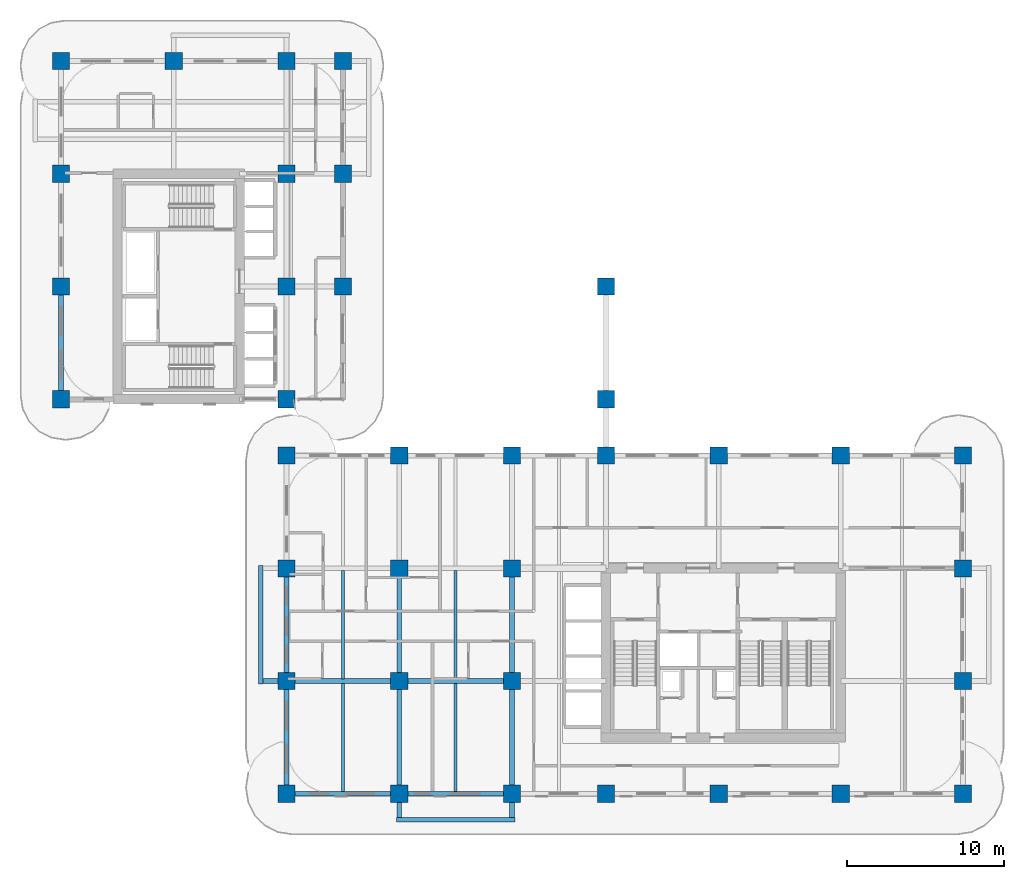
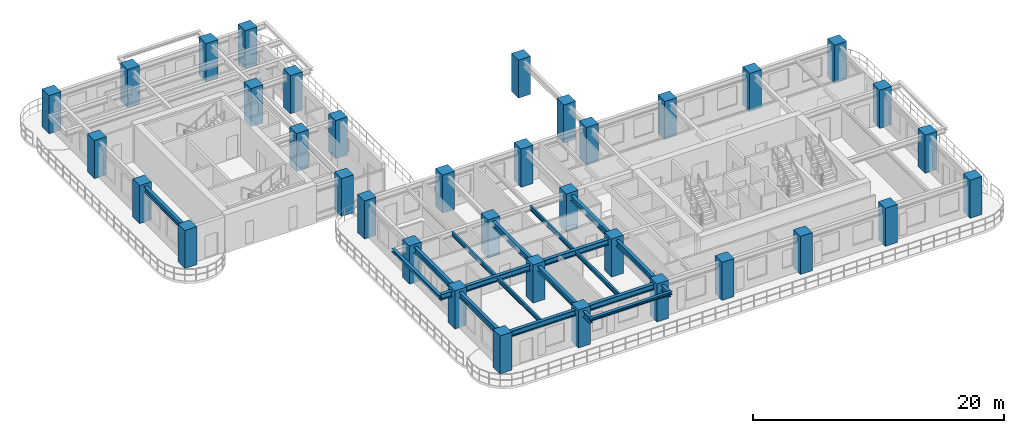
# One storey, part 1 of 19: 36 columns, 17 beams.
"""IFC4 building model written with IfcOpenShell, lengths in metres."""

from ifc_helpers import new_model, si_unit, derived_unit, direction, frame, origin, origin_2d, place, context, subcontext, project, spatial, rectangle, i_section, extrude, source, transform, mapped, material, material_profile, profile_set, type_object, type_shapes, element, save


model = new_model("IFC4")

# Units and contexts
model_context = context("Model", 3, precision=1e-05, world=origin(), true_north=direction((0.0, 1.0)))
body_context = subcontext(model_context, "Body", "Model", "MODEL_VIEW")
ifc_project = project(units=[si_unit("LENGTHUNIT", "METRE"), si_unit("AREAUNIT", "SQUARE_METRE"), si_unit("VOLUMEUNIT", "CUBIC_METRE"), si_unit("PLANEANGLEUNIT", "RADIAN"), si_unit("MASSUNIT", "GRAM", prefix="KILO"), si_unit("THERMODYNAMICTEMPERATUREUNIT", "KELVIN"), si_unit("POWERUNIT", "WATT"), derived_unit("THERMALTRANSMITTANCEUNIT", [(si_unit("POWERUNIT", "WATT"), 1), (si_unit("AREAUNIT", "SQUARE_METRE"), -1), (si_unit("THERMODYNAMICTEMPERATUREUNIT", "KELVIN"), -1)])], contexts=[model_context])

# Site, building, storey
site_placement = place(None, origin())
site = spatial("IfcSite", under=ifc_project, at=site_placement, CompositionType="ELEMENT")
building_placement = place(site_placement, origin())
building = spatial("IfcBuilding", under=site, at=building_placement, Name="Zahravan Archway Hotel and Residences", CompositionType="ELEMENT")
storey_placement = place(building_placement, frame((0.0, 0.0, 47.199951171875)))
storey = spatial("IfcBuildingStorey", under=building, at=storey_placement, Name="L10", CompositionType="ELEMENT", Elevation=47.199951171875)

# Columns
ifc_material_1 = material(Name="Concrete C70/85", Category="concrete")
ifc_material_profile_1 = material_profile(ifc_material_1, rectangle(XDim=1.10009765625, YDim=1.10009765625, at=origin_2d()), Name="RC 1100x1100", Category="concrete")
ifc_profile_set_1 = profile_set([ifc_material_profile_1], Name="Concrete C70/85")
column_type = type_object("IfcColumnType", Name="COL-RC-1100", PredefinedType="COLUMN", material=ifc_profile_set_1)
shared_shape_1 = source(origin(), body_context, "Body", "SweptSolid", [
    extrude(rectangle(XDim=1.10009765625, YDim=1.10009765625, at=origin_2d()), origin(), (0.0, 0.0, 1.0), 3.699951171875),
])
for number, where, z_axis, x_axis, name in (
    (1, (0.0, 25.199951171875, 0.0), (0.0, 0.0, 1.0), (1.0, 0.0, 0.0), "L10 Column 1-E"),
    (2, (0.0, 32.39990234375, 0.0), (0.0, 0.0, 1.0), (1.0, 0.0, 0.0), "L10 Column 1-F"),
    (3, (0.0, 39.60009765625, 0.0), (0.0, 0.0, 1.0), (1.0, 0.0, 0.0), "L10 Column 1-G"),
    (4, (0.0, 46.800048828125, 0.0), (0.0, 0.0, 1.0), (1.0, 0.0, 0.0), "L10 Column 1-H"),
    (5, (7.199951171875, 46.800048828125, 0.0), (0.0, 0.0, 1.0), (1.0, 0.0, 0.0), "L10 Column 2-H"),
    (6, (14.39990234375, 0.0, 0.0), (0.0, 0.0, 1.0), (1.0, 0.0, 0.0), "L10 Column 3-A"),
    (7, (14.39990234375, 7.199951171875, 0.0), (0.0, 0.0, 1.0), (1.0, 0.0, 0.0), "L10 Column 3-B"),
    (8, (14.39990234375, 14.39990234375, 0.0), (0.0, 0.0, 1.0), (1.0, 0.0, 0.0), "L10 Column 3-C"),
    (9, (14.39990234375, 21.60009765625, 0.0), (0.0, 0.0, 1.0), (1.0, 0.0, 0.0), "L10 Column 3-D"),
    (10, (14.39990234375, 25.199951171875, 0.0), (0.0, 0.0, 1.0), (1.0, 0.0, 0.0), "L10 Column 3-E"),
    (11, (14.39990234375, 32.39990234375, 0.0), (0.0, 0.0, 1.0), (1.0, 0.0, 0.0), "L10 Column 3-F"),
    (12, (14.39990234375, 39.60009765625, 0.0), (0.0, 0.0, 1.0), (1.0, 0.0, 0.0), "L10 Column 3-G"),
    (13, (14.39990234375, 46.800048828125, 0.0), (0.0, 0.0, 1.0), (1.0, 0.0, 0.0), "L10 Column 3-H"),
    (14, (21.60009765625, 0.0, 0.0), (0.0, 0.0, 1.0), (1.0, 0.0, 0.0), "L10 Column 4-A"),
    (15, (21.60009765625, 7.199951171875, 0.0), (0.0, 0.0, 1.0), (1.0, 0.0, 0.0), "L10 Column 4-B"),
    (16, (21.60009765625, 14.39990234375, 0.0), (0.0, 0.0, 1.0), (1.0, 0.0, 0.0), "L10 Column 4-C"),
    (17, (21.60009765625, 21.60009765625, 0.0), (0.0, 0.0, 1.0), (1.0, 0.0, 0.0), "L10 Column 4-D"),
    (18, (28.800048828125, 0.0, 0.0), (0.0, 0.0, 1.0), (1.0, 0.0, 0.0), "L10 Column 5-A"),
    (19, (28.800048828125, 7.199951171875, 0.0), (0.0, 0.0, 1.0), (1.0, 0.0, 0.0), "L10 Column 5-B"),
    (20, (28.800048828125, 14.39990234375, 0.0), (0.0, 0.0, 1.0), (1.0, 0.0, 0.0), "L10 Column 5-C"),
    (21, (28.800048828125, 21.60009765625, 0.0), (0.0, 0.0, 1.0), (1.0, 0.0, 0.0), "L10 Column 5-D"),
    (22, (34.800048828125, 0.0, 0.0), (0.0, 0.0, 1.0), (1.0, 0.0, 0.0), "L10 Column 6-A"),
    (23, (34.800048828125, 21.60009765625, 0.0), (0.0, 0.0, 1.0), (1.0, 0.0, 0.0), "L10 Column 6-D"),
    (24, (42.0, 0.0, 0.0), (0.0, 0.0, 1.0), (1.0, 0.0, 0.0), "L10 Column 7-A"),
    (25, (42.0, 21.60009765625, 0.0), (0.0, 0.0, 1.0), (1.0, 0.0, 0.0), "L10 Column 7-D"),
    (26, (49.800048828125, 0.0, 0.0), (0.0, 0.0, 1.0), (1.0, 0.0, 0.0), "L10 Column 8-A"),
    (27, (49.800048828125, 21.60009765625, 0.0), (0.0, 0.0, 1.0), (1.0, 0.0, 0.0), "L10 Column 8-D"),
    (28, (57.60009765625, 0.0, 0.0), (0.0, 0.0, 1.0), (1.0, 0.0, 0.0), "L10 Column 9-A"),
    (29, (57.60009765625, 7.199951171875, 0.0), (0.0, 0.0, 1.0), (1.0, 0.0, 0.0), "L10 Column 9-B"),
    (30, (57.60009765625, 14.39990234375, 0.0), (0.0, 0.0, 1.0), (1.0, 0.0, 0.0), "L10 Column 9-C"),
    (31, (57.60009765625, 21.60009765625, 0.0), (0.0, 0.0, 1.0), (1.0, 0.0, 0.0), "L10 Column 9-D"),
    (32, (18.0, 32.39990234375, 0.0), (0.0, 0.0, 1.0), (1.0, 0.0, 0.0), "L10 Column 3B-F"),
    (33, (18.0, 39.60009765625, 0.0), (0.0, 0.0, 1.0), (1.0, 0.0, 0.0), "L10 Column 3B-G"),
    (34, (18.0, 46.800048828125, 0.0), (0.0, 0.0, 1.0), (1.0, 0.0, 0.0), "L10 Column 3B-H"),
    (35, (34.800048828125, 25.199951171875, 0.0), (0.0, 0.0, 1.0), (1.0, 0.0, 0.0), "L10 Column 6-E"),
    (36, (34.800048828125, 32.39990234375, 0.0), (0.0, 0.0, 1.0), (1.0, 0.0, 0.0), "L10 Column 6-F"),
):
    element("IfcColumn", number, at=place(storey_placement, frame(where, z_axis=z_axis, x_axis=x_axis)), inside=storey, type_object=column_type, Name=name, PredefinedType="COLUMN", context=body_context, shape_type="MappedRepresentation", body=[
        mapped(shared_shape_1, transform((0.0, 0.0, 0.0), scale=1.0)),
    ])

# Beams
ifc_material_2 = material(Name="Structural Steel S355JR", Category="steel")
ifc_material_profile_2 = material_profile(ifc_material_2, i_section(OverallWidth=0.280029296875, OverallDepth=0.280029296875, WebThickness=0.010498046875, FlangeThickness=0.01806640625, FilletRadius=0.02392578125, at=origin_2d()), Name="HEB 280", Category="steel")
ifc_profile_set_2 = profile_set([ifc_material_profile_2], Name="Structural Steel S355JR")
beam_type_1 = type_object("IfcBeamType", Name="BM-SPN-HEB280", PredefinedType="SPANDREL", material=ifc_profile_set_2)
shared_shape_2 = source(origin(), body_context, "Body", "SweptSolid", [
    extrude(i_section(OverallWidth=0.280029296875, OverallDepth=0.280029296875, WebThickness=0.010498046875, FlangeThickness=0.01806640625, FilletRadius=0.02392578125, at=origin_2d()), origin(), (0.0, 0.0, 1.0), 7.56005859375),
])
type_shapes(beam_type_1, [shared_shape_2])
for number, where, z_axis, x_axis, name in (
    (37, (12.75, 7.02001953125, 3.31005859375), (0.0, 1.0, 0.0), (-1.0, 0.0, 0.0), "L11 WA Balcony Edge Spandrel"),
    (38, (21.419921875, -1.64990234375, 3.31005859375), (1.0, 0.0, 0.0), (0.0, 1.0, 0.0), "L11 SA Balcony Edge Spandrel"),
):
    element("IfcBeam", number, at=place(storey_placement, frame(where, z_axis=z_axis, x_axis=x_axis)), inside=storey, type_object=beam_type_1, Name=name, PredefinedType="SPANDREL", context=body_context, shape_type="MappedRepresentation", body=[
        mapped(shared_shape_2, transform((0.0, 0.0, 0.0), scale=1.0)),
    ])
ifc_material_profile_3 = material_profile(ifc_material_2, i_section(OverallWidth=0.300048828125, OverallDepth=0.550048828125, WebThickness=0.014892578125, FlangeThickness=0.029052734375, FilletRadius=0.027099609375, at=origin_2d()), Name="HEB 550", Category="steel")
ifc_profile_set_3 = profile_set([ifc_material_profile_3], Name="Structural Steel S355JR")
beam_type_2 = type_object("IfcBeamType", Name="BM-PRI-HEB550", PredefinedType="BEAM", material=ifc_profile_set_3)
shared_shape_3 = source(origin(), body_context, "Body", "SweptSolid", [
    extrude(i_section(OverallWidth=0.300048828125, OverallDepth=0.550048828125, WebThickness=0.014892578125, FlangeThickness=0.029052734375, FilletRadius=0.027099609375, at=origin_2d()), origin(), (0.0, 0.0, 1.0), 7.2001953125),
])
type_shapes(beam_type_2, [shared_shape_3])
beam_1_placement = place(storey_placement, frame((14.39990234375, 0.0, 3.175048828125), z_axis=(1.0, 0.0, 0.0), x_axis=(0.0, 1.0, 0.0)))
element("IfcBeam", 39, at=beam_1_placement, inside=storey, type_object=beam_type_2, Name="L10 Primary Girder EW-01", PredefinedType="BEAM", context=body_context, shape_type="MappedRepresentation", body=[
    mapped(shared_shape_3, transform((0.0, 0.0, 0.0), scale=1.0)),
])
shared_shape_4 = source(origin(), body_context, "Body", "SweptSolid", [
    extrude(i_section(OverallWidth=0.300048828125, OverallDepth=0.550048828125, WebThickness=0.014892578125, FlangeThickness=0.029052734375, FilletRadius=0.027099609375, at=origin_2d()), origin(), (0.0, 0.0, 1.0), 7.199951171875),
])
for number, where, z_axis, x_axis, name in (
    (40, (21.60009765625, 0.0, 3.175048828125), (1.0, 0.0, 0.0), (0.0, 1.0, 0.0), "L10 Primary Girder EW-02"),
    (41, (21.60009765625, 7.199951171875, 3.175048828125), (1.0, 0.0, 0.0), (0.0, 1.0, 0.0), "L10 Primary Girder EW-08"),
    (42, (0.0, 25.199951171875, 3.175048828125), (0.0, 1.0, 0.0), (-1.0, 0.0, 0.0), "L10 Primary Girder NS-27"),
    (43, (14.39990234375, 0.0, 3.175048828125), (0.0, 1.0, 0.0), (-1.0, 0.0, 0.0), "L10 Primary Girder NS-31"),
    (44, (14.39990234375, 7.199951171875, 3.175048828125), (0.0, 1.0, 0.0), (-1.0, 0.0, 0.0), "L10 Primary Girder NS-32"),
    (45, (21.60009765625, 7.199951171875, 3.175048828125), (0.0, 1.0, 0.0), (-1.0, 0.0, 0.0), "L10 Primary Girder NS-38"),
    (46, (28.800048828125, 7.199951171875, 3.175048828125), (0.0, 1.0, 0.0), (-1.0, 0.0, 0.0), "L10 Primary Girder NS-41"),
):
    element("IfcBeam", number, at=place(storey_placement, frame(where, z_axis=z_axis, x_axis=x_axis)), inside=storey, type_object=beam_type_2, Name=name, PredefinedType="BEAM", context=body_context, shape_type="MappedRepresentation", body=[
        mapped(shared_shape_4, transform((0.0, 0.0, 0.0), scale=1.0)),
    ])
shared_shape_5 = source(origin(), body_context, "Body", "SweptSolid", [
    extrude(i_section(OverallWidth=0.300048828125, OverallDepth=0.550048828125, WebThickness=0.014892578125, FlangeThickness=0.029052734375, FilletRadius=0.027099609375, at=origin_2d()), origin(), (0.0, 0.0, 1.0), 8.85009765625),
])
beam_2_placement = place(storey_placement, frame((12.75, 7.199951171875, 3.175048828125), z_axis=(1.0, 0.0, 0.0), x_axis=(0.0, 1.0, 0.0)))
element("IfcBeam", 47, at=beam_2_placement, inside=storey, type_object=beam_type_2, Name="L10 Primary Girder EW-07", PredefinedType="BEAM", context=body_context, shape_type="MappedRepresentation", body=[
    mapped(shared_shape_5, transform((0.0, 0.0, 0.0), scale=1.0)),
])
shared_shape_6 = source(origin(), body_context, "Body", "SweptSolid", [
    extrude(i_section(OverallWidth=0.300048828125, OverallDepth=0.550048828125, WebThickness=0.014892578125, FlangeThickness=0.029052734375, FilletRadius=0.027099609375, at=origin_2d()), origin(), (0.0, 0.0, 1.0), 8.849853515625),
])
for number, where, z_axis, x_axis, name in (
    (48, (21.60009765625, -1.64990234375, 3.175048828125), (0.0, 1.0, 0.0), (-1.0, 0.0, 0.0), "L10 Primary Girder NS-37"),
    (49, (28.800048828125, -1.64990234375, 3.175048828125), (0.0, 1.0, 0.0), (-1.0, 0.0, 0.0), "L10 Primary Girder NS-40"),
):
    element("IfcBeam", number, at=place(storey_placement, frame(where, z_axis=z_axis, x_axis=x_axis)), inside=storey, type_object=beam_type_2, Name=name, PredefinedType="BEAM", context=body_context, shape_type="MappedRepresentation", body=[
        mapped(shared_shape_6, transform((0.0, 0.0, 0.0), scale=1.0)),
    ])
ifc_material_profile_4 = material_profile(ifc_material_2, i_section(OverallWidth=0.179931640625, OverallDepth=0.39990234375, WebThickness=0.008544921875, FlangeThickness=0.013427734375, FilletRadius=0.02099609375, at=origin_2d()), Name="IPE 400", Category="steel")
ifc_profile_set_4 = profile_set([ifc_material_profile_4], Name="Structural Steel S355JR")
beam_type_3 = type_object("IfcBeamType", Name="BM-JST-IPE400", PredefinedType="JOIST", material=ifc_profile_set_4)
shared_shape_7 = source(origin(), body_context, "Body", "SweptSolid", [
    extrude(i_section(OverallWidth=0.179931640625, OverallDepth=0.39990234375, WebThickness=0.008544921875, FlangeThickness=0.013427734375, FilletRadius=0.02099609375, at=origin_2d()), origin(), (0.0, 0.0, 1.0), 6.904052734375),
])
type_shapes(beam_type_3, [shared_shape_7])
for number, where, z_axis, x_axis, name in (
    (50, (18.0, 0.14794921875, 3.25), (0.0, 1.0, 0.0), (-1.0, 0.0, 0.0), "L10 Composite Floor Joist 01"),
    (51, (25.199951171875, 0.14794921875, 3.25), (0.0, 1.0, 0.0), (-1.0, 0.0, 0.0), "L10 Composite Floor Joist 02"),
    (52, (18.0, 7.347900390625, 3.25), (0.0, 1.0, 0.0), (-1.0, 0.0, 0.0), "L10 Composite Floor Joist 05"),
    (53, (25.199951171875, 7.347900390625, 3.25), (0.0, 1.0, 0.0), (-1.0, 0.0, 0.0), "L10 Composite Floor Joist 06"),
):
    element("IfcBeam", number, at=place(storey_placement, frame(where, z_axis=z_axis, x_axis=x_axis)), inside=storey, type_object=beam_type_3, Name=name, PredefinedType="JOIST", context=body_context, shape_type="MappedRepresentation", body=[
        mapped(shared_shape_7, transform((0.0, 0.0, 0.0), scale=1.0)),
    ])

save(model, "model.ifc")
